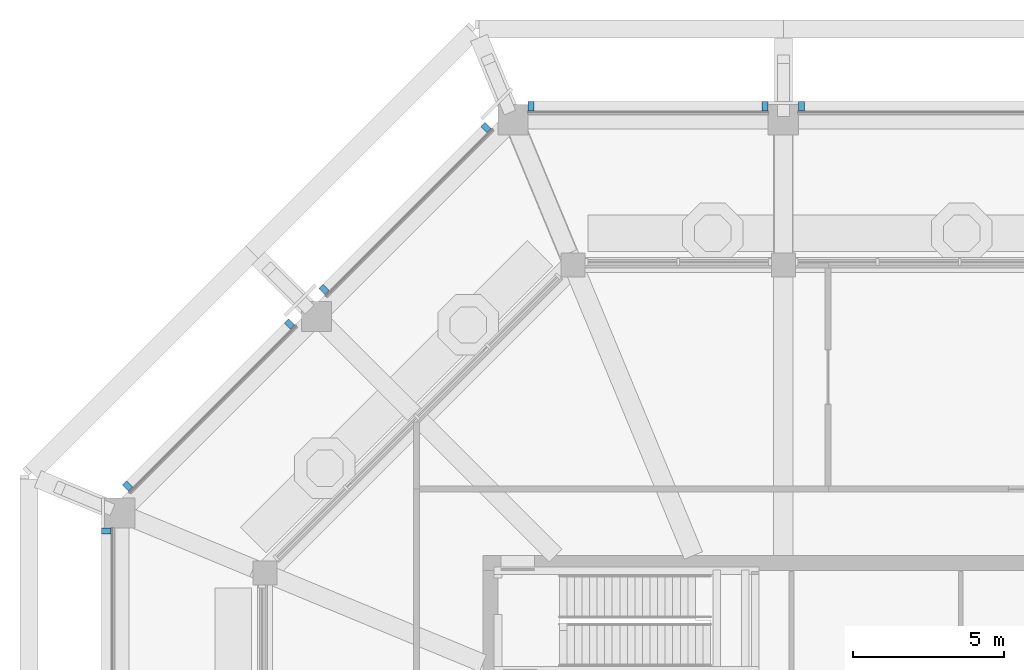
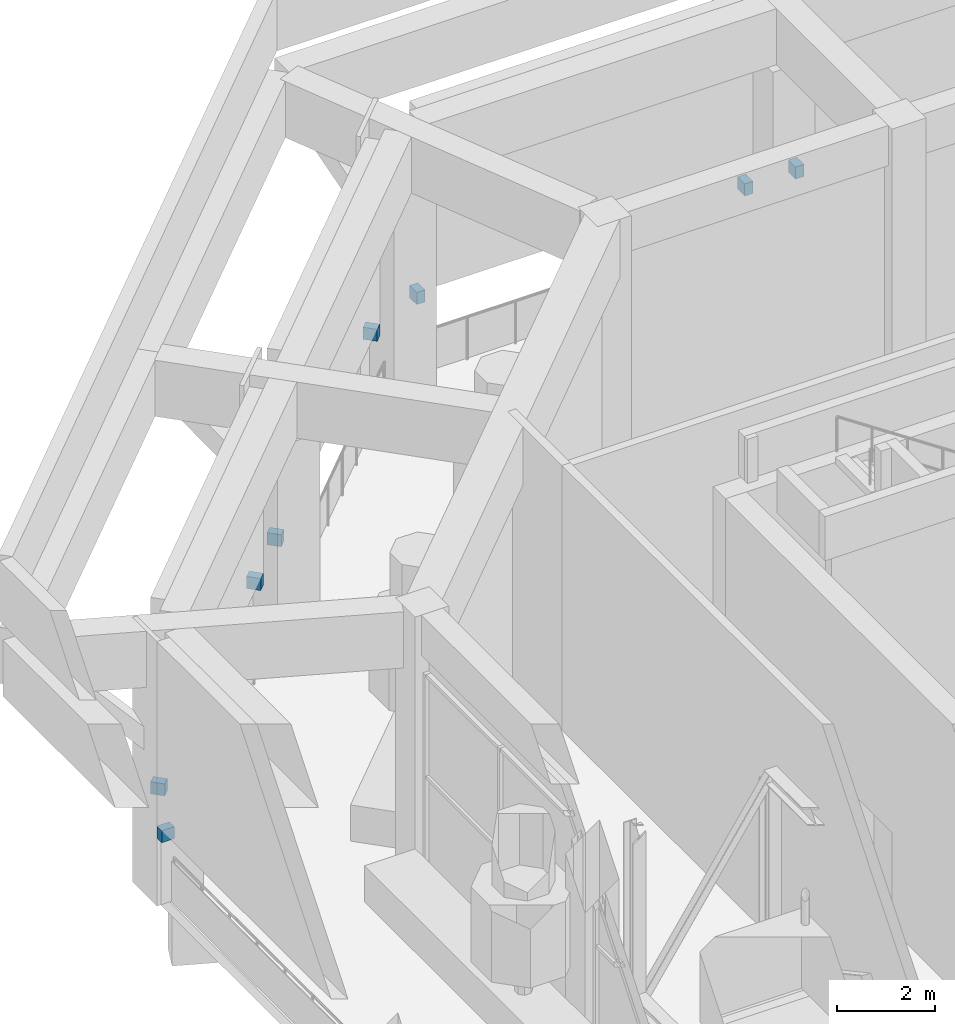
# One storey, part 24 of 29: 8 discrete accessories.
"""IFC4 building model written with IfcOpenShell, lengths in metres."""

from ifc_helpers import new_model, si_unit, direction, frame, origin, origin_2d, place, context, subcontext, project, spatial, rectangle, extrude, material, type_object, element, save


model = new_model("IFC4")

# Units and contexts
model_context = context("Model", 3, precision=1e-05, world=origin(), true_north=direction((0.0, 1.0)))
body_context = subcontext(model_context, "Body", "Model", "MODEL_VIEW")
ifc_project = project(units=[si_unit("LENGTHUNIT", "METRE"), si_unit("AREAUNIT", "SQUARE_METRE"), si_unit("VOLUMEUNIT", "CUBIC_METRE"), si_unit("PLANEANGLEUNIT", "RADIAN"), si_unit("MASSUNIT", "GRAM", prefix="KILO")], contexts=[model_context])

# Site, building, storey
site_placement = place(None, origin())
site = spatial("IfcSite", under=ifc_project, at=site_placement, CompositionType="ELEMENT")
building_placement = place(site_placement, origin())
building = spatial("IfcBuilding", under=site, at=building_placement, Name="Msitu Wima Residences", CompositionType="ELEMENT")
storey_placement = place(building_placement, frame((0.0, 0.0, 320.10009765625)))
storey = spatial("IfcBuildingStorey", under=building, at=storey_placement, Name="L74", CompositionType="ELEMENT", Elevation=320.10009765625)

# Discrete accessories
ifc_material = material(Name="Steel S355, galvanised", Category="steel")
discrete_accessory_type = type_object("IfcDiscreteAccessoryType", Name="Screen support bracket SB200", PredefinedType="BRACKET", material=ifc_material)
for number, where, z_axis, x_axis, name in (
    (1, (-3.86865234375, 26.85009765625, 1.69970703125), (0.0, 0.0, 1.0), (-1.0, 0.0, 0.0), "Screen support bracket N1B"),
    (2, (-5.068603515625, 26.85009765625, 1.69970703125), (0.0, 0.0, 1.0), (-1.0, 0.0, 0.0), "Screen support bracket N2A"),
    (3, (-12.805908203125, 26.85009765625, 1.69970703125), (0.0, 0.0, 1.0), (-1.0, 0.0, 0.0), "Screen support bracket N2B"),
    (4, (-14.294677734375, 26.1474609375, 1.69970703125), (0.0, 0.0, 1.0), (-0.707106781187, -0.707106781187, 0.0), "Screen support bracket NW0A"),
    (5, (-19.650390625, 20.791748046875, 1.69970703125), (0.0, 0.0, 1.0), (-0.707106781187, -0.707106781187, 0.0), "Screen support bracket NW0B"),
    (6, (-20.791748046875, 19.650390625, 1.69970703125), (0.0, 0.0, 1.0), (-0.707106781187, -0.707106781187, 0.0), "Screen support bracket NW1A"),
    (7, (-26.1474609375, 14.294677734375, 1.69970703125), (0.0, 0.0, 1.0), (-0.707106781187, -0.707106781187, 0.0), "Screen support bracket NW1B"),
    (8, (-26.85009765625, 12.805908203125, 1.69970703125), (0.0, 0.0, 1.0), (0.0, -1.0, 0.0), "Screen support bracket W0A"),
):
    element("IfcDiscreteAccessory", number, at=place(storey_placement, frame(where, z_axis=z_axis, x_axis=x_axis)), inside=storey, type_object=discrete_accessory_type, Name=name, PredefinedType="BRACKET", context=body_context, shape_type="SweptSolid", body=[
        extrude(rectangle(XDim=0.199951171875, YDim=0.300048828125, at=origin_2d()), origin(), (0.0, 0.0, 1.0), 0.300048828125),
    ])

save(model, "model.ifc")
